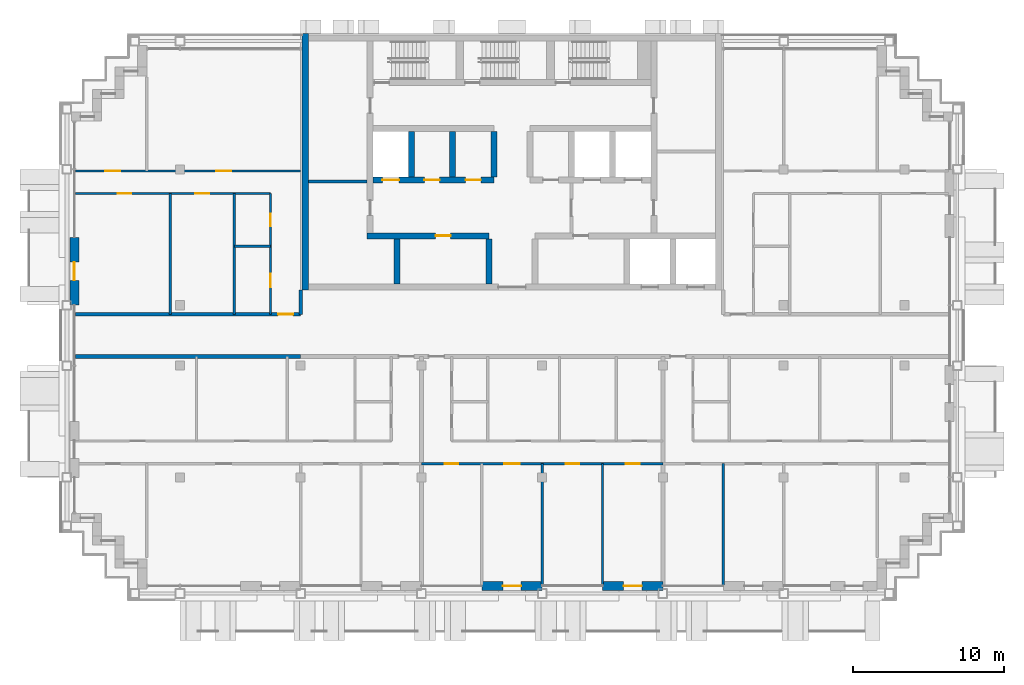
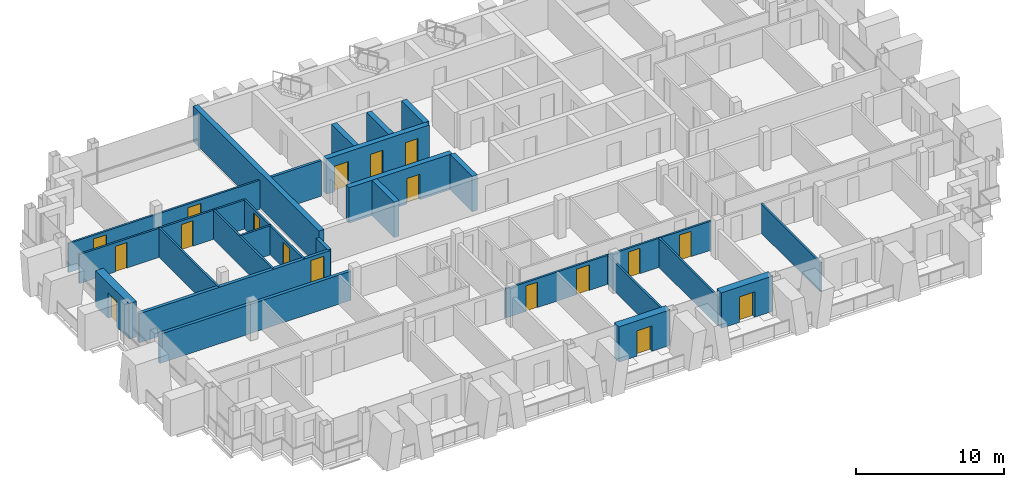
# One storey, part 8 of 16: 25 walls, 18 doors, 18 openings.
"""IFC4 building model written with IfcOpenShell, lengths in metres."""

from ifc_helpers import new_model, si_unit, direction, frame, frame_2d, origin, place, context, subcontext, project, spatial, rectangle, extrude, material, layer, layer_set, type_object, element, fill, save


model = new_model("IFC4")

# Units and contexts
model_context = context("Model", 3, precision=1e-05, world=origin(), true_north=direction((0.0, 1.0)))
body_context = subcontext(model_context, "Body", "Model", "MODEL_VIEW")
ifc_project = project(units=[si_unit("LENGTHUNIT", "METRE"), si_unit("AREAUNIT", "SQUARE_METRE"), si_unit("VOLUMEUNIT", "CUBIC_METRE"), si_unit("PLANEANGLEUNIT", "RADIAN"), si_unit("MASSUNIT", "GRAM", prefix="KILO")], contexts=[model_context])

# Site, building, storey
site_placement = place(None, origin())
site = spatial("IfcSite", under=ifc_project, at=site_placement, CompositionType="ELEMENT")
building_placement = place(site_placement, origin())
building = spatial("IfcBuilding", under=site, at=building_placement, Name="Vidyagriha Tower", CompositionType="ELEMENT")
storey_placement = place(building_placement, frame((0.0, 0.0, 230.0)))
storey = spatial("IfcBuildingStorey", under=building, at=storey_placement, Name="L60", CompositionType="ELEMENT", Elevation=230.0)

# Wall, opening, door
ifc_material_1 = material(Name="Precast concrete C40/50 with brick facing", Category="concrete")
ifc_layer_1 = layer(ifc_material_1, 0.60009765625)
ifc_layer_set_1 = layer_set([ifc_layer_1], Name="Precast concrete C40/50 with brick facing")
wall_type_1 = type_object("IfcWallType", Name="Brick-faced precast wall 600", PredefinedType="STANDARD", material=ifc_layer_set_1)
wall_1_placement = place(storey_placement, frame((-29.0, 6.5, 0.0), z_axis=(0.0, 0.0, 1.0), x_axis=(0.0, -1.0, 0.0)))
wall_1 = element("IfcWall", 1, at=wall_1_placement, inside=storey, type_object=wall_type_1, Name="Brick door bay wall L60 R16.3", PredefinedType="STANDARD", context=body_context, shape_type="SweptSolid", body=[
    extrude(rectangle(XDim=4.5, YDim=0.60009765625, at=frame_2d((2.25, 0.0))), origin(), (0.0, 0.0, 1.0), 2.919921875),
])
opening_1_placement = place(wall_1_placement, frame((1.64990234375, 0.0, 0.0)))
opening_1 = element("IfcOpeningElement", 2, at=opening_1_placement, cuts=wall_1, Name="Opening D60-60", PredefinedType="OPENING", context=body_context, shape_type="SweptSolid", body=[
    extrude(rectangle(XDim=1.199951171875, YDim=2.10009765625, at=frame_2d((0.60009765625, 1.050048828125))), frame((0.0, 0.31005859375, 0.0), z_axis=(0.0, -1.0, 0.0), x_axis=(1.0, 0.0, 0.0)), (0.0, 0.0, 1.0), 0.6201171875),
])
ifc_material_2 = material(Name="Aluminium framed glazed sliding door", Category="aluminium")
door_type_1 = type_object("IfcDoorType", Name="Balcony sliding door 1200x2100", OperationType="NOTDEFINED", PredefinedType="DOOR", material=ifc_material_2)
door_1_placement = place(opening_1_placement, origin())
door_1 = element("IfcDoor", 3, at=door_1_placement, inside=storey, type_object=door_type_1, Name="Door D60-60", OperationType="SLIDING_TO_LEFT", OverallHeight=2.10009765625, OverallWidth=1.199951171875, PredefinedType="DOOR", context=body_context, shape_type="SweptSolid", body=[
    extrude(rectangle(XDim=1.199951171875, YDim=2.10009765625, at=frame_2d((0.60009765625, 1.050048828125))), frame((0.0, 0.02490234375, 0.0), z_axis=(0.0, -1.0, 0.0), x_axis=(1.0, 0.0, 0.0)), (0.0, 0.0, 1.0), 0.050048828125),
])
fill(opening_1, door_1)

wall_2_placement = place(storey_placement, frame((-2.0, -16.60009765625, 0.0)))
wall_2 = element("IfcWall", 4, at=wall_2_placement, inside=storey, type_object=wall_type_1, Name="Brick door bay wall L60 R23.7", PredefinedType="STANDARD", context=body_context, shape_type="SweptSolid", body=[
    extrude(rectangle(XDim=4.0, YDim=0.60009765625, at=frame_2d((2.0, 0.0))), origin(), (0.0, 0.0, 1.0), 2.919921875),
])
opening_2_placement = place(wall_2_placement, frame((1.39990234375, 0.0, 0.0)))
opening_2 = element("IfcOpeningElement", 5, at=opening_2_placement, cuts=wall_2, Name="Opening D60-64", PredefinedType="OPENING", context=body_context, shape_type="SweptSolid", body=[
    extrude(rectangle(XDim=1.199951171875, YDim=2.10009765625, at=frame_2d((0.60009765625, 1.050048828125))), frame((0.0, 0.31005859375, 0.0), z_axis=(0.0, -1.0, 0.0), x_axis=(1.0, 0.0, 0.0)), (0.0, 0.0, 1.0), 0.6201171875),
])
door_2_placement = place(opening_2_placement, origin())
door_2 = element("IfcDoor", 6, at=door_2_placement, inside=storey, type_object=door_type_1, Name="Door D60-64", OperationType="SLIDING_TO_LEFT", OverallHeight=2.10009765625, OverallWidth=1.199951171875, PredefinedType="DOOR", context=body_context, shape_type="SweptSolid", body=[
    extrude(rectangle(XDim=1.199951171875, YDim=2.10009765625, at=frame_2d((0.60009765625, 1.050048828125))), frame((0.0, 0.02490234375, 0.0), z_axis=(0.0, -1.0, 0.0), x_axis=(1.0, 0.0, 0.0)), (0.0, 0.0, 1.0), 0.050048828125),
])
fill(opening_2, door_2)

wall_3_placement = place(storey_placement, frame((6.0, -16.60009765625, 0.0)))
wall_3 = element("IfcWall", 7, at=wall_3_placement, inside=storey, type_object=wall_type_1, Name="Brick door bay wall L60 R23.9", PredefinedType="STANDARD", context=body_context, shape_type="SweptSolid", body=[
    extrude(rectangle(XDim=4.0, YDim=0.60009765625, at=frame_2d((2.0, 0.0))), origin(), (0.0, 0.0, 1.0), 2.919921875),
])
opening_3_placement = place(wall_3_placement, frame((1.39990234375, 0.0, 0.0)))
opening_3 = element("IfcOpeningElement", 8, at=opening_3_placement, cuts=wall_3, Name="Opening D60-65", PredefinedType="OPENING", context=body_context, shape_type="SweptSolid", body=[
    extrude(rectangle(XDim=1.199951171875, YDim=2.10009765625, at=frame_2d((0.60009765625, 1.050048828125))), frame((0.0, 0.31005859375, 0.0), z_axis=(0.0, -1.0, 0.0), x_axis=(1.0, 0.0, 0.0)), (0.0, 0.0, 1.0), 0.6201171875),
])
door_3_placement = place(opening_3_placement, origin())
door_3 = element("IfcDoor", 9, at=door_3_placement, inside=storey, type_object=door_type_1, Name="Door D60-65", OperationType="SLIDING_TO_LEFT", OverallHeight=2.10009765625, OverallWidth=1.199951171875, PredefinedType="DOOR", context=body_context, shape_type="SweptSolid", body=[
    extrude(rectangle(XDim=1.199951171875, YDim=2.10009765625, at=frame_2d((0.60009765625, 1.050048828125))), frame((0.0, 0.02490234375, 0.0), z_axis=(0.0, -1.0, 0.0), x_axis=(1.0, 0.0, 0.0)), (0.0, 0.0, 1.0), 0.050048828125),
])
fill(opening_3, door_3)

# Wall
ifc_material_3 = material(Name="Concrete C60/75", Category="concrete")
ifc_layer_2 = layer(ifc_material_3, 0.39990234375)
ifc_layer_set_2 = layer_set([ifc_layer_2], Name="Concrete C60/75")
wall_type_2 = type_object("IfcWallType", Name="Core shear wall 400 mm", PredefinedType="SHEAR", material=ifc_layer_set_2)
wall_4_placement = place(storey_placement, frame((-13.699951171875, 3.0, 0.0), z_axis=(0.0, 0.0, 1.0), x_axis=(0.0, 1.0, 0.0)))
element("IfcWall", 10, at=wall_4_placement, inside=storey, type_object=wall_type_2, Name="Core west wall", PredefinedType="SHEAR", context=body_context, shape_type="SweptSolid", body=[
    extrude(rectangle(XDim=17.0, YDim=0.39990234375, at=frame_2d((8.5, 0.0))), origin(), (0.0, 0.0, 1.0), 2.919921875),
])

# Wall, opening, door
wall_5_placement = place(storey_placement, frame((-9.60009765625, 6.60009765625, 0.0)))
wall_5 = element("IfcWall", 11, at=wall_5_placement, inside=storey, type_object=wall_type_2, Name="Core lobby south wall west", PredefinedType="SHEAR", context=body_context, shape_type="SweptSolid", body=[
    extrude(rectangle(XDim=8.077880859375, YDim=0.39990234375, at=frame_2d((4.0390625, 0.0))), origin(), (0.0, 0.0, 1.0), 2.919921875),
])
opening_4_placement = place(wall_5_placement, frame((4.533203125, 0.0, 0.0)))
opening_4 = element("IfcOpeningElement", 12, at=opening_4_placement, cuts=wall_5, Name="Opening D60-02", PredefinedType="OPENING", context=body_context, shape_type="SweptSolid", body=[
    extrude(rectangle(XDim=1.0, YDim=2.10009765625, at=frame_2d((0.5, 1.050048828125))), frame((0.0, 0.2099609375, 0.0), z_axis=(0.0, -1.0, 0.0), x_axis=(1.0, 0.0, 0.0)), (0.0, 0.0, 1.0), 0.419921875),
])
ifc_material_4 = material(Name="Hollow metal door leaf")
door_type_2 = type_object("IfcDoorType", Name="Core room door 1000 x 2100 mm EI 60", OperationType="NOTDEFINED", PredefinedType="DOOR", material=ifc_material_4)
door_4_placement = place(opening_4_placement, origin())
door_4 = element("IfcDoor", 13, at=door_4_placement, inside=storey, type_object=door_type_2, Name="Door Storage Room 60.01", OperationType="SINGLE_SWING_RIGHT", OverallHeight=2.10009765625, OverallWidth=1.0, PredefinedType="DOOR", context=body_context, shape_type="SweptSolid", body=[
    extrude(rectangle(XDim=1.0, YDim=2.10009765625, at=frame_2d((0.5, 1.050048828125))), frame((0.0, 0.02490234375, 0.0), z_axis=(0.0, -1.0, 0.0), x_axis=(1.0, 0.0, 0.0)), (0.0, 0.0, 1.0), 0.050048828125),
])
fill(opening_4, door_4)

# Walls
for number, where, z_axis, x_axis, name in (
    (14, (-7.611083984375, 3.39990234375, 0.0), (0.0, 0.0, 1.0), (0.0, 1.0, 0.0), "Core bay wall S2"),
    (15, (-1.522216796875, 3.39990234375, 0.0), (0.0, 0.0, 1.0), (0.0, 1.0, 0.0), "Core bay wall S4"),
):
    element("IfcWall", number, at=place(storey_placement, frame(where, z_axis=z_axis, x_axis=x_axis)), inside=storey, type_object=wall_type_2, Name=name, PredefinedType="SHEAR", context=body_context, shape_type="SweptSolid", body=[
        extrude(rectangle(XDim=3.0, YDim=0.39990234375, at=frame_2d((1.5, 0.0))), origin(), (0.0, 0.0, 1.0), 2.919921875),
    ])

# Wall, openings, doors
wall_6_placement = place(storey_placement, frame((-9.199951171875, 10.300048828125, 0.0)))
wall_6 = element("IfcWall", 16, at=wall_6_placement, inside=storey, type_object=wall_type_2, Name="Core row N front wall", PredefinedType="SHEAR", context=body_context, shape_type="SweptSolid", body=[
    extrude(rectangle(XDim=8.0, YDim=0.39990234375, at=frame_2d((4.0, 0.0))), origin(), (0.0, 0.0, 1.0), 2.919921875),
])
opening_5_placement = place(wall_6_placement, frame((0.61669921875, 0.0, 0.0)))
opening_5 = element("IfcOpeningElement", 17, at=opening_5_placement, cuts=wall_6, Name="Opening LD60-03", PredefinedType="OPENING", context=body_context, shape_type="SweptSolid", body=[
    extrude(rectangle(XDim=1.10009765625, YDim=2.10009765625, at=frame_2d((0.550048828125, 1.050048828125))), frame((0.0, 0.2099609375, 0.0), z_axis=(0.0, -1.0, 0.0), x_axis=(1.0, 0.0, 0.0)), (0.0, 0.0, 1.0), 0.419921875),
])
opening_6_placement = place(wall_6_placement, frame((3.39990234375, 0.0, 0.0)))
opening_6 = element("IfcOpeningElement", 18, at=opening_6_placement, cuts=wall_6, Name="Opening D60-04", PredefinedType="OPENING", context=body_context, shape_type="SweptSolid", body=[
    extrude(rectangle(XDim=1.0, YDim=2.10009765625, at=frame_2d((0.5, 1.050048828125))), frame((0.0, 0.2099609375, 0.0), z_axis=(0.0, -1.0, 0.0), x_axis=(1.0, 0.0, 0.0)), (0.0, 0.0, 1.0), 0.419921875),
])
opening_7_placement = place(wall_6_placement, frame((6.13330078125, 0.0, 0.0)))
opening_7 = element("IfcOpeningElement", 19, at=opening_7_placement, cuts=wall_6, Name="Opening D60-05", PredefinedType="OPENING", context=body_context, shape_type="SweptSolid", body=[
    extrude(rectangle(XDim=1.0, YDim=2.10009765625, at=frame_2d((0.5, 1.050048828125))), frame((0.0, 0.2099609375, 0.0), z_axis=(0.0, -1.0, 0.0), x_axis=(1.0, 0.0, 0.0)), (0.0, 0.0, 1.0), 0.419921875),
])
door_5_placement = place(opening_6_placement, frame((1.0, 0.0, 0.0), z_axis=(0.0, 0.0, 1.0), x_axis=(-1.0, 0.0, 0.0)))
door_5 = element("IfcDoor", 20, at=door_5_placement, inside=storey, type_object=door_type_2, Name="Door Pressurisation Plant Room 60.14", OperationType="SINGLE_SWING_RIGHT", OverallHeight=2.10009765625, OverallWidth=1.0, PredefinedType="DOOR", context=body_context, shape_type="SweptSolid", body=[
    extrude(rectangle(XDim=1.0, YDim=2.10009765625, at=frame_2d((0.5, 1.050048828125))), frame((0.0, 0.02490234375, 0.0), z_axis=(0.0, -1.0, 0.0), x_axis=(1.0, 0.0, 0.0)), (0.0, 0.0, 1.0), 0.050048828125),
])
fill(opening_6, door_5)
door_6_placement = place(opening_7_placement, frame((1.0, 0.0, 0.0), z_axis=(0.0, 0.0, 1.0), x_axis=(-1.0, 0.0, 0.0)))
door_6 = element("IfcDoor", 21, at=door_6_placement, inside=storey, type_object=door_type_2, Name="Door Switchgear Room 60.15", OperationType="SINGLE_SWING_LEFT", OverallHeight=2.10009765625, OverallWidth=1.0, PredefinedType="DOOR", context=body_context, shape_type="SweptSolid", body=[
    extrude(rectangle(XDim=1.0, YDim=2.10009765625, at=frame_2d((0.5, 1.050048828125))), frame((0.0, 0.02490234375, 0.0), z_axis=(0.0, -1.0, 0.0), x_axis=(1.0, 0.0, 0.0)), (0.0, 0.0, 1.0), 0.050048828125),
])
fill(opening_7, door_6)
ifc_material_5 = material(Name="Stainless steel sliding door panel", Category="steel")
door_type_3 = type_object("IfcDoorType", Name="Lift landing door 1100 x 2100 mm EI 90", OperationType="NOTDEFINED", PredefinedType="DOOR", material=ifc_material_5)
door_7_placement = place(opening_5_placement, origin())
door_7 = element("IfcDoor", 22, at=door_7_placement, inside=storey, type_object=door_type_3, Name="Landing door MR3 L60", OperationType="SLIDING_TO_LEFT", OverallHeight=2.10009765625, OverallWidth=1.10009765625, PredefinedType="DOOR", context=body_context, shape_type="SweptSolid", body=[
    extrude(rectangle(XDim=1.10009765625, YDim=2.10009765625, at=frame_2d((0.550048828125, 1.050048828125))), frame((0.0, 0.02490234375, 0.0), z_axis=(0.0, -1.0, 0.0), x_axis=(1.0, 0.0, 0.0)), (0.0, 0.0, 1.0), 0.050048828125),
])
fill(opening_5, door_7)

# Walls
for number, where, z_axis, x_axis, name in (
    (23, (-6.666748046875, 10.5, 0.0), (0.0, 0.0, 1.0), (0.0, 1.0, 0.0), "Core bay wall N1"),
    (24, (-3.933349609375, 10.5, 0.0), (0.0, 0.0, 1.0), (0.0, 1.0, 0.0), "Core bay wall N2"),
    (25, (-1.199951171875, 10.5, 0.0), (0.0, 0.0, 1.0), (0.0, 1.0, 0.0), "Core bay wall N3"),
):
    element("IfcWall", number, at=place(storey_placement, frame(where, z_axis=z_axis, x_axis=x_axis)), inside=storey, type_object=wall_type_2, Name=name, PredefinedType="SHEAR", context=body_context, shape_type="SweptSolid", body=[
        extrude(rectangle(XDim=3.0, YDim=0.39990234375, at=frame_2d((1.5, 0.0))), origin(), (0.0, 0.0, 1.0), 2.919921875),
    ])
ifc_material_6 = material(Name="Fired clay brick masonry", Category="masonry")
ifc_layer_3 = layer(ifc_material_6, 0.25)
ifc_layer_set_3 = layer_set([ifc_layer_3], Name="Fired clay brick masonry")
wall_type_3 = type_object("IfcWallType", Name="Fired clay brick corridor wall 250", PredefinedType="PARTITIONING", material=ifc_layer_set_3)
wall_7_placement = place(storey_placement, frame((-14.0, -1.39990234375, 0.0), z_axis=(0.0, 0.0, 1.0), x_axis=(-1.0, 0.0, 0.0)))
element("IfcWall", 26, at=wall_7_placement, inside=storey, type_object=wall_type_3, Name="Wall all-L60-w063", PredefinedType="PARTITIONING", context=body_context, shape_type="SweptSolid", body=[
    extrude(rectangle(XDim=14.919921875, YDim=0.25, at=frame_2d((7.4599609375, 0.0))), origin(), (0.0, 0.0, 1.0), 2.39990234375),
])

# Wall, opening, door
wall_8_placement = place(storey_placement, frame((-28.919921875, 1.39990234375, 0.0)))
wall_8 = element("IfcWall", 27, at=wall_8_placement, inside=storey, type_object=wall_type_3, Name="Wall all-L60-w079", PredefinedType="PARTITIONING", context=body_context, shape_type="SweptSolid", body=[
    extrude(rectangle(XDim=14.919921875, YDim=0.25, at=frame_2d((7.4599609375, 0.0))), origin(), (0.0, 0.0, 1.0), 2.39990234375),
])
opening_8_placement = place(wall_8_placement, frame((13.419921875, 0.0, 0.0)))
opening_8 = element("IfcOpeningElement", 28, at=opening_8_placement, cuts=wall_8, Name="Opening D60-51", PredefinedType="OPENING", context=body_context, shape_type="SweptSolid", body=[
    extrude(rectangle(XDim=1.0, YDim=2.10009765625, at=frame_2d((0.5, 1.050048828125))), frame((0.0, 0.135009765625, 0.0), z_axis=(0.0, -1.0, 0.0), x_axis=(1.0, 0.0, 0.0)), (0.0, 0.0, 1.0), 0.27001953125),
])
ifc_material_7 = material(Name="Fire-rated timber door leaf EI 60", Category="wood")
door_type_4 = type_object("IfcDoorType", Name="Flat entrance fire door 1000x2100", OperationType="NOTDEFINED", PredefinedType="DOOR", material=ifc_material_7)
door_8_placement = place(opening_8_placement, origin())
door_8 = element("IfcDoor", 29, at=door_8_placement, inside=storey, type_object=door_type_4, Name="Door D60-51", OperationType="SINGLE_SWING_RIGHT", OverallHeight=2.10009765625, OverallWidth=1.0, PredefinedType="DOOR", context=body_context, shape_type="SweptSolid", body=[
    extrude(rectangle(XDim=1.0, YDim=2.10009765625, at=frame_2d((0.5, 1.050048828125))), frame((0.0, 0.02490234375, 0.0), z_axis=(0.0, -1.0, 0.0), x_axis=(1.0, 0.0, 0.0)), (0.0, 0.0, 1.0), 0.050048828125),
])
fill(opening_8, door_8)

# Wall
wall_9_placement = place(storey_placement, frame((-14.0, 3.0, 0.0), z_axis=(0.0, 0.0, 1.0), x_axis=(0.0, -1.0, 0.0)))
element("IfcWall", 30, at=wall_9_placement, inside=storey, type_object=wall_type_3, Name="Wall all-L60-w098", PredefinedType="PARTITIONING", context=body_context, shape_type="SweptSolid", body=[
    extrude(rectangle(XDim=1.60009765625, YDim=0.25, at=frame_2d((0.800048828125, 0.0))), origin(), (0.0, 0.0, 1.0), 2.39990234375),
])

# Wall, openings, doors
ifc_material_8 = material(Name="Gypsum board partition")
ifc_layer_4 = layer(ifc_material_8, 0.14990234375)
ifc_layer_set_4 = layer_set([ifc_layer_4], Name="Gypsum board partition")
wall_type_4 = type_object("IfcWallType", Name="Gypsum board partition 150", PredefinedType="PARTITIONING", material=ifc_layer_set_4)
wall_10_placement = place(storey_placement, frame((10.0, -8.5, 0.0), z_axis=(0.0, 0.0, 1.0), x_axis=(-1.0, 0.0, 0.0)))
wall_10 = element("IfcWall", 31, at=wall_10_placement, inside=storey, type_object=wall_type_4, Name="Wall all-L60-w032", PredefinedType="PARTITIONING", context=body_context, shape_type="SweptSolid", body=[
    extrude(rectangle(XDim=16.0, YDim=0.14990234375, at=frame_2d((8.0, 0.0))), origin(), (0.0, 0.0, 1.0), 2.39990234375),
])
opening_9_placement = place(wall_10_placement, frame((13.550048828125, 0.0, 0.0)))
opening_9 = element("IfcOpeningElement", 32, at=opening_9_placement, cuts=wall_10, Name="Opening D60-30", PredefinedType="OPENING", context=body_context, shape_type="SweptSolid", body=[
    extrude(rectangle(XDim=0.89990234375, YDim=2.10009765625, at=frame_2d((0.449951171875, 1.050048828125))), frame((0.0, 0.0849609375, 0.0), z_axis=(0.0, -1.0, 0.0), x_axis=(1.0, 0.0, 0.0)), (0.0, 0.0, 1.0), 0.169921875),
])
opening_10_placement = place(wall_10_placement, frame((9.5, 0.0, 0.0)))
opening_10 = element("IfcOpeningElement", 33, at=opening_10_placement, cuts=wall_10, Name="Opening D60-31", PredefinedType="OPENING", context=body_context, shape_type="SweptSolid", body=[
    extrude(rectangle(XDim=1.0, YDim=2.10009765625, at=frame_2d((0.5, 1.050048828125))), frame((0.0, 0.0849609375, 0.0), z_axis=(0.0, -1.0, 0.0), x_axis=(1.0, 0.0, 0.0)), (0.0, 0.0, 1.0), 0.169921875),
])
opening_11_placement = place(wall_10_placement, frame((5.550048828125, 0.0, 0.0)))
opening_11 = element("IfcOpeningElement", 34, at=opening_11_placement, cuts=wall_10, Name="Opening D60-32", PredefinedType="OPENING", context=body_context, shape_type="SweptSolid", body=[
    extrude(rectangle(XDim=0.89990234375, YDim=2.10009765625, at=frame_2d((0.449951171875, 1.050048828125))), frame((0.0, 0.0849609375, 0.0), z_axis=(0.0, -1.0, 0.0), x_axis=(1.0, 0.0, 0.0)), (0.0, 0.0, 1.0), 0.169921875),
])
opening_12_placement = place(wall_10_placement, frame((1.550048828125, 0.0, 0.0)))
opening_12 = element("IfcOpeningElement", 35, at=opening_12_placement, cuts=wall_10, Name="Opening D60-33", PredefinedType="OPENING", context=body_context, shape_type="SweptSolid", body=[
    extrude(rectangle(XDim=0.89990234375, YDim=2.10009765625, at=frame_2d((0.449951171875, 1.050048828125))), frame((0.0, 0.0849609375, 0.0), z_axis=(0.0, -1.0, 0.0), x_axis=(1.0, 0.0, 0.0)), (0.0, 0.0, 1.0), 0.169921875),
])
ifc_material_9 = material(Name="Timber door leaf", Category="wood")
door_type_5 = type_object("IfcDoorType", Name="Room door 1000x2100", OperationType="NOTDEFINED", PredefinedType="DOOR", material=ifc_material_9)
door_9_placement = place(opening_10_placement, origin())
door_9 = element("IfcDoor", 36, at=door_9_placement, inside=storey, type_object=door_type_5, Name="Door D60-31", OperationType="SINGLE_SWING_RIGHT", OverallHeight=2.10009765625, OverallWidth=1.0, PredefinedType="DOOR", context=body_context, shape_type="SweptSolid", body=[
    extrude(rectangle(XDim=1.0, YDim=2.10009765625, at=frame_2d((0.5, 1.050048828125))), frame((0.0, 0.02490234375, 0.0), z_axis=(0.0, -1.0, 0.0), x_axis=(1.0, 0.0, 0.0)), (0.0, 0.0, 1.0), 0.050048828125),
])
fill(opening_10, door_9)
ifc_material_10 = material(Name="Timber door leaf", Category="wood")
door_type_6 = type_object("IfcDoorType", Name="Room door 900x2100", OperationType="NOTDEFINED", PredefinedType="DOOR", material=ifc_material_10)
door_10_placement = place(opening_9_placement, origin())
door_10 = element("IfcDoor", 37, at=door_10_placement, inside=storey, type_object=door_type_6, Name="Door D60-30", OperationType="SINGLE_SWING_RIGHT", OverallHeight=2.10009765625, OverallWidth=0.89990234375, PredefinedType="DOOR", context=body_context, shape_type="SweptSolid", body=[
    extrude(rectangle(XDim=0.89990234375, YDim=2.10009765625, at=frame_2d((0.449951171875, 1.050048828125))), frame((0.0, 0.02490234375, 0.0), z_axis=(0.0, -1.0, 0.0), x_axis=(1.0, 0.0, 0.0)), (0.0, 0.0, 1.0), 0.050048828125),
])
fill(opening_9, door_10)
door_11_placement = place(opening_11_placement, origin())
door_11 = element("IfcDoor", 38, at=door_11_placement, inside=storey, type_object=door_type_6, Name="Door D60-32", OperationType="SINGLE_SWING_RIGHT", OverallHeight=2.10009765625, OverallWidth=0.89990234375, PredefinedType="DOOR", context=body_context, shape_type="SweptSolid", body=[
    extrude(rectangle(XDim=0.89990234375, YDim=2.10009765625, at=frame_2d((0.449951171875, 1.050048828125))), frame((0.0, 0.02490234375, 0.0), z_axis=(0.0, -1.0, 0.0), x_axis=(1.0, 0.0, 0.0)), (0.0, 0.0, 1.0), 0.050048828125),
])
fill(opening_11, door_11)
door_12_placement = place(opening_12_placement, origin())
door_12 = element("IfcDoor", 39, at=door_12_placement, inside=storey, type_object=door_type_6, Name="Door D60-33", OperationType="SINGLE_SWING_RIGHT", OverallHeight=2.10009765625, OverallWidth=0.89990234375, PredefinedType="DOOR", context=body_context, shape_type="SweptSolid", body=[
    extrude(rectangle(XDim=0.89990234375, YDim=2.10009765625, at=frame_2d((0.449951171875, 1.050048828125))), frame((0.0, 0.02490234375, 0.0), z_axis=(0.0, -1.0, 0.0), x_axis=(1.0, 0.0, 0.0)), (0.0, 0.0, 1.0), 0.050048828125),
])
fill(opening_12, door_12)

# Walls
wall_11_placement = place(storey_placement, frame((2.0, -8.5, 0.0), z_axis=(0.0, 0.0, 1.0), x_axis=(0.0, -1.0, 0.0)))
element("IfcWall", 40, at=wall_11_placement, inside=storey, type_object=wall_type_4, Name="Wall all-L60-w038", PredefinedType="PARTITIONING", context=body_context, shape_type="SweptSolid", body=[
    extrude(rectangle(XDim=8.010009765625, YDim=0.14990234375, at=frame_2d((4.0048828125, 0.0))), origin(), (0.0, 0.0, 1.0), 2.39990234375),
])
for number, where, z_axis, x_axis, name in (
    (41, (6.0, -8.5, 0.0), (0.0, 0.0, 1.0), (0.0, -1.0, 0.0), "Wall all-L60-w039"),
    (42, (14.0, -8.5, 0.0), (0.0, 0.0, 1.0), (0.0, -1.0, 0.0), "Wall all-L60-w058"),
):
    element("IfcWall", number, at=place(storey_placement, frame(where, z_axis=z_axis, x_axis=x_axis)), inside=storey, type_object=wall_type_4, Name=name, PredefinedType="PARTITIONING", context=body_context, shape_type="SweptSolid", body=[
        extrude(rectangle(XDim=8.02099609375, YDim=0.14990234375, at=frame_2d((4.010498046875, 0.0))), origin(), (0.0, 0.0, 1.0), 2.39990234375),
    ])
wall_12_placement = place(storey_placement, frame((-18.39990234375, 5.89990234375, 0.0)))
element("IfcWall", 43, at=wall_12_placement, inside=storey, type_object=wall_type_4, Name="Wall all-L60-w068", PredefinedType="PARTITIONING", context=body_context, shape_type="SweptSolid", body=[
    extrude(rectangle(XDim=2.39990234375, YDim=0.14990234375, at=frame_2d((1.199951171875, 0.0))), origin(), (0.0, 0.0, 1.0), 2.39990234375),
])
for number, where, z_axis, x_axis, name in (
    (44, (-18.39990234375, 1.39990234375, 0.0), (0.0, 0.0, 1.0), (0.0, 1.0, 0.0), "Wall all-L60-w069"),
    (45, (-22.64990234375, 1.39990234375, 0.0), (0.0, 0.0, 1.0), (0.0, 1.0, 0.0), "Wall all-L60-w070"),
):
    element("IfcWall", number, at=place(storey_placement, frame(where, z_axis=z_axis, x_axis=x_axis)), inside=storey, type_object=wall_type_4, Name=name, PredefinedType="PARTITIONING", context=body_context, shape_type="SweptSolid", body=[
        extrude(rectangle(XDim=8.0, YDim=0.14990234375, at=frame_2d((4.0, 0.0))), origin(), (0.0, 0.0, 1.0), 2.39990234375),
    ])

# Wall, openings, doors
wall_13_placement = place(storey_placement, frame((-16.0, 9.39990234375, 0.0), z_axis=(0.0, 0.0, 1.0), x_axis=(-1.0, 0.0, 0.0)))
wall_13 = element("IfcWall", 46, at=wall_13_placement, inside=storey, type_object=wall_type_4, Name="Wall all-L60-w071", PredefinedType="PARTITIONING", context=body_context, shape_type="SweptSolid", body=[
    extrude(rectangle(XDim=12.919921875, YDim=0.14990234375, at=frame_2d((6.4599609375, 0.0))), origin(), (0.0, 0.0, 1.0), 2.39990234375),
])
opening_13_placement = place(wall_13_placement, frame((4.074951171875, 0.0, 0.0)))
opening_13 = element("IfcOpeningElement", 47, at=opening_13_placement, cuts=wall_13, Name="Opening D60-47", PredefinedType="OPENING", context=body_context, shape_type="SweptSolid", body=[
    extrude(rectangle(XDim=0.89990234375, YDim=2.10009765625, at=frame_2d((0.449951171875, 1.050048828125))), frame((0.0, 0.0849609375, 0.0), z_axis=(0.0, -1.0, 0.0), x_axis=(1.0, 0.0, 0.0)), (0.0, 0.0, 1.0), 0.169921875),
])
opening_14_placement = place(wall_13_placement, frame((9.22509765625, 0.0, 0.0)))
opening_14 = element("IfcOpeningElement", 48, at=opening_14_placement, cuts=wall_13, Name="Opening D60-48", PredefinedType="OPENING", context=body_context, shape_type="SweptSolid", body=[
    extrude(rectangle(XDim=0.89990234375, YDim=2.10009765625, at=frame_2d((0.449951171875, 1.050048828125))), frame((0.0, 0.0849609375, 0.0), z_axis=(0.0, -1.0, 0.0), x_axis=(1.0, 0.0, 0.0)), (0.0, 0.0, 1.0), 0.169921875),
])
door_13_placement = place(opening_13_placement, origin())
door_13 = element("IfcDoor", 49, at=door_13_placement, inside=storey, type_object=door_type_6, Name="Door D60-47", OperationType="SINGLE_SWING_RIGHT", OverallHeight=2.10009765625, OverallWidth=0.89990234375, PredefinedType="DOOR", context=body_context, shape_type="SweptSolid", body=[
    extrude(rectangle(XDim=0.89990234375, YDim=2.10009765625, at=frame_2d((0.449951171875, 1.050048828125))), frame((0.0, 0.02490234375, 0.0), z_axis=(0.0, -1.0, 0.0), x_axis=(1.0, 0.0, 0.0)), (0.0, 0.0, 1.0), 0.050048828125),
])
fill(opening_13, door_13)
door_14_placement = place(opening_14_placement, origin())
door_14 = element("IfcDoor", 50, at=door_14_placement, inside=storey, type_object=door_type_6, Name="Door D60-48", OperationType="SINGLE_SWING_RIGHT", OverallHeight=2.10009765625, OverallWidth=0.89990234375, PredefinedType="DOOR", context=body_context, shape_type="SweptSolid", body=[
    extrude(rectangle(XDim=0.89990234375, YDim=2.10009765625, at=frame_2d((0.449951171875, 1.050048828125))), frame((0.0, 0.02490234375, 0.0), z_axis=(0.0, -1.0, 0.0), x_axis=(1.0, 0.0, 0.0)), (0.0, 0.0, 1.0), 0.050048828125),
])
fill(opening_14, door_14)

wall_14_placement = place(storey_placement, frame((-28.919921875, 10.89990234375, 0.0)))
wall_14 = element("IfcWall", 51, at=wall_14_placement, inside=storey, type_object=wall_type_4, Name="Wall all-L60-w074", PredefinedType="PARTITIONING", context=body_context, shape_type="SweptSolid", body=[
    extrude(rectangle(XDim=14.919921875, YDim=0.14990234375, at=frame_2d((7.4599609375, 0.0))), origin(), (0.0, 0.0, 1.0), 2.39990234375),
])
opening_15_placement = place(wall_14_placement, frame((1.969970703125, 0.0, 0.0)))
opening_15 = element("IfcOpeningElement", 52, at=opening_15_placement, cuts=wall_14, Name="Opening D60-49", PredefinedType="OPENING", context=body_context, shape_type="SweptSolid", body=[
    extrude(rectangle(XDim=1.0, YDim=2.10009765625, at=frame_2d((0.5, 1.050048828125))), frame((0.0, 0.0849609375, 0.0), z_axis=(0.0, -1.0, 0.0), x_axis=(1.0, 0.0, 0.0)), (0.0, 0.0, 1.0), 0.169921875),
])
opening_16_placement = place(wall_14_placement, frame((9.320068359375, 0.0, 0.0)))
opening_16 = element("IfcOpeningElement", 53, at=opening_16_placement, cuts=wall_14, Name="Opening D60-50", PredefinedType="OPENING", context=body_context, shape_type="SweptSolid", body=[
    extrude(rectangle(XDim=1.0, YDim=2.10009765625, at=frame_2d((0.5, 1.050048828125))), frame((0.0, 0.0849609375, 0.0), z_axis=(0.0, -1.0, 0.0), x_axis=(1.0, 0.0, 0.0)), (0.0, 0.0, 1.0), 0.169921875),
])
door_15_placement = place(opening_15_placement, origin())
door_15 = element("IfcDoor", 54, at=door_15_placement, inside=storey, type_object=door_type_5, Name="Door D60-49", OperationType="SINGLE_SWING_RIGHT", OverallHeight=2.10009765625, OverallWidth=1.0, PredefinedType="DOOR", context=body_context, shape_type="SweptSolid", body=[
    extrude(rectangle(XDim=1.0, YDim=2.10009765625, at=frame_2d((0.5, 1.050048828125))), frame((0.0, 0.02490234375, 0.0), z_axis=(0.0, -1.0, 0.0), x_axis=(1.0, 0.0, 0.0)), (0.0, 0.0, 1.0), 0.050048828125),
])
fill(opening_15, door_15)
door_16_placement = place(opening_16_placement, origin())
door_16 = element("IfcDoor", 55, at=door_16_placement, inside=storey, type_object=door_type_5, Name="Door D60-50", OperationType="SINGLE_SWING_LEFT", OverallHeight=2.10009765625, OverallWidth=1.0, PredefinedType="DOOR", context=body_context, shape_type="SweptSolid", body=[
    extrude(rectangle(XDim=1.0, YDim=2.10009765625, at=frame_2d((0.5, 1.050048828125))), frame((0.0, 0.02490234375, 0.0), z_axis=(0.0, -1.0, 0.0), x_axis=(1.0, 0.0, 0.0)), (0.0, 0.0, 1.0), 0.050048828125),
])
fill(opening_16, door_16)

ifc_material_11 = material(Name="Moisture resistant gypsum board partition")
ifc_layer_5 = layer(ifc_material_11, 0.14990234375)
ifc_layer_set_5 = layer_set([ifc_layer_5], Name="Moisture resistant gypsum board partition")
wall_type_5 = type_object("IfcWallType", Name="Gypsum board wet-area partition 150", PredefinedType="PARTITIONING", material=ifc_layer_set_5)
wall_15_placement = place(storey_placement, frame((-16.0, 1.39990234375, 0.0), z_axis=(0.0, 0.0, 1.0), x_axis=(0.0, 1.0, 0.0)))
wall_15 = element("IfcWall", 56, at=wall_15_placement, inside=storey, type_object=wall_type_5, Name="Wall all-L60-w065", PredefinedType="PARTITIONING", context=body_context, shape_type="SweptSolid", body=[
    extrude(rectangle(XDim=8.0, YDim=0.14990234375, at=frame_2d((4.0, 0.0))), origin(), (0.0, 0.0, 1.0), 2.39990234375),
])
opening_17_placement = place(wall_15_placement, frame((1.800048828125, 0.0, 0.0)))
opening_17 = element("IfcOpeningElement", 57, at=opening_17_placement, cuts=wall_15, Name="Opening D60-45", PredefinedType="OPENING", context=body_context, shape_type="SweptSolid", body=[
    extrude(rectangle(XDim=0.89990234375, YDim=2.10009765625, at=frame_2d((0.449951171875, 1.050048828125))), frame((0.0, 0.0849609375, 0.0), z_axis=(0.0, -1.0, 0.0), x_axis=(1.0, 0.0, 0.0)), (0.0, 0.0, 1.0), 0.169921875),
])
opening_18_placement = place(wall_15_placement, frame((5.85009765625, 0.0, 0.0)))
opening_18 = element("IfcOpeningElement", 58, at=opening_18_placement, cuts=wall_15, Name="Opening D60-46", PredefinedType="OPENING", context=body_context, shape_type="SweptSolid", body=[
    extrude(rectangle(XDim=0.800048828125, YDim=2.10009765625, at=frame_2d((0.39990234375, 1.050048828125))), frame((0.0, 0.0849609375, 0.0), z_axis=(0.0, -1.0, 0.0), x_axis=(1.0, 0.0, 0.0)), (0.0, 0.0, 1.0), 0.169921875),
])
ifc_material_12 = material(Name="Timber door leaf", Category="wood")
door_type_7 = type_object("IfcDoorType", Name="Bathroom door 800x2100", OperationType="NOTDEFINED", PredefinedType="DOOR", material=ifc_material_12)
door_17_placement = place(opening_18_placement, origin())
door_17 = element("IfcDoor", 59, at=door_17_placement, inside=storey, type_object=door_type_7, Name="Door D60-46", OperationType="SINGLE_SWING_RIGHT", OverallHeight=2.10009765625, OverallWidth=0.800048828125, PredefinedType="DOOR", context=body_context, shape_type="SweptSolid", body=[
    extrude(rectangle(XDim=0.800048828125, YDim=2.10009765625, at=frame_2d((0.39990234375, 1.050048828125))), frame((0.0, 0.02490234375, 0.0), z_axis=(0.0, -1.0, 0.0), x_axis=(1.0, 0.0, 0.0)), (0.0, 0.0, 1.0), 0.050048828125),
])
fill(opening_18, door_17)
ifc_material_13 = material(Name="Timber door leaf", Category="wood")
door_type_8 = type_object("IfcDoorType", Name="Kitchen door 900x2100", OperationType="NOTDEFINED", PredefinedType="DOOR", material=ifc_material_13)
door_18_placement = place(opening_17_placement, origin())
door_18 = element("IfcDoor", 60, at=door_18_placement, inside=storey, type_object=door_type_8, Name="Door D60-45", OperationType="SINGLE_SWING_LEFT", OverallHeight=2.10009765625, OverallWidth=0.89990234375, PredefinedType="DOOR", context=body_context, shape_type="SweptSolid", body=[
    extrude(rectangle(XDim=0.89990234375, YDim=2.10009765625, at=frame_2d((0.449951171875, 1.050048828125))), frame((0.0, 0.02490234375, 0.0), z_axis=(0.0, -1.0, 0.0), x_axis=(1.0, 0.0, 0.0)), (0.0, 0.0, 1.0), 0.050048828125),
])
fill(opening_17, door_18)

# Wall
ifc_material_14 = material(Name="Blockwork 15 MPa", Category="masonry")
ifc_layer_6 = layer(ifc_material_14, 0.199951171875)
ifc_layer_set_6 = layer_set([ifc_layer_6], Name="Blockwork 15 MPa")
wall_type_6 = type_object("IfcWallType", Name="Service room partition 200 mm", PredefinedType="PARTITIONING", material=ifc_layer_set_6)
wall_16_placement = place(storey_placement, frame((-13.5, 10.199951171875, 0.0)))
element("IfcWall", 61, at=wall_16_placement, inside=storey, type_object=wall_type_6, Name="Core room partition W1", PredefinedType="PARTITIONING", context=body_context, shape_type="SweptSolid", body=[
    extrude(rectangle(XDim=3.89990234375, YDim=0.199951171875, at=frame_2d((1.949951171875, 0.0))), origin(), (0.0, 0.0, 1.0), 2.919921875),
])

save(model, "model.ifc")
